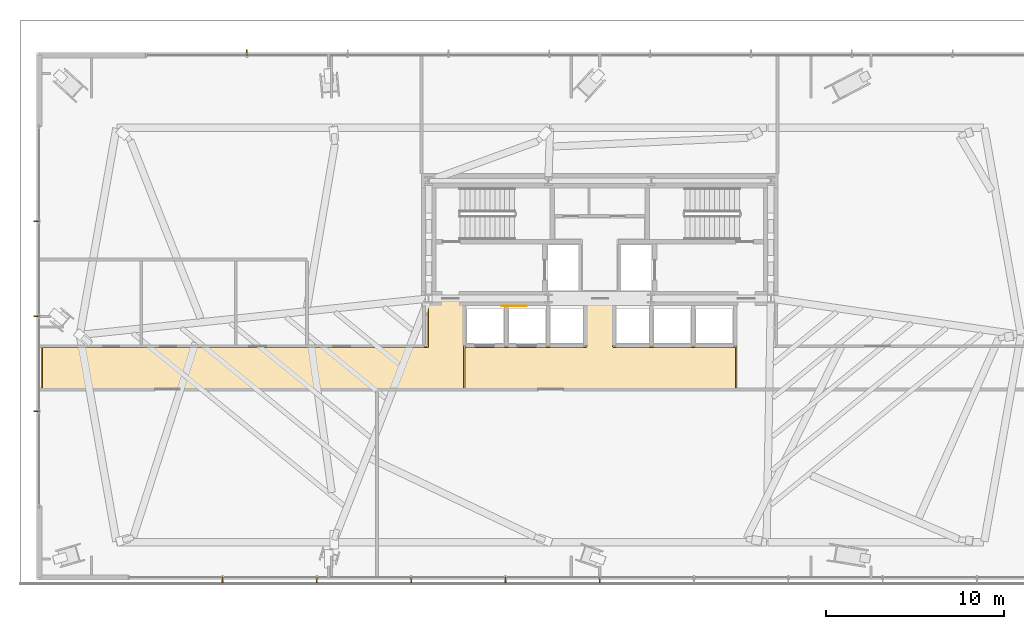
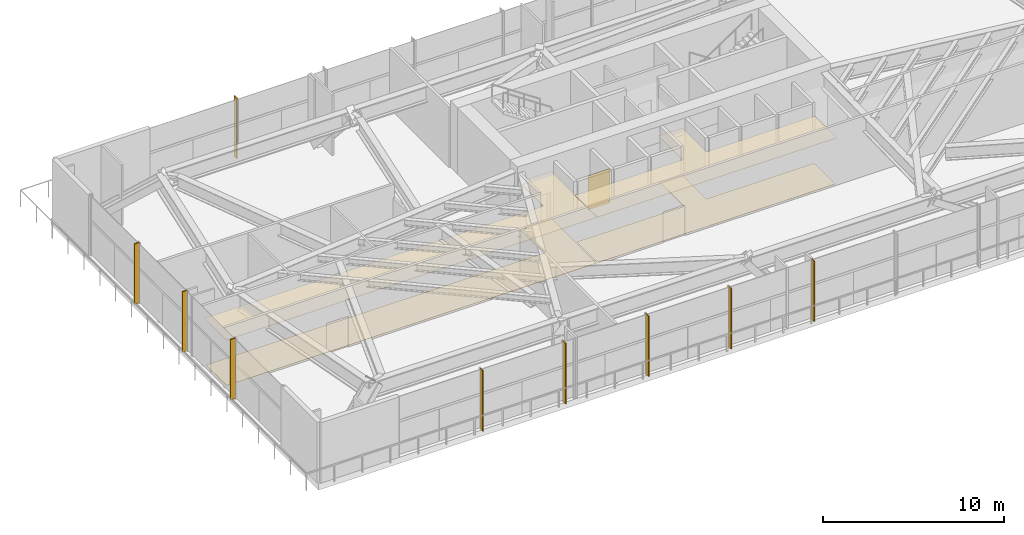
# One storey, part 23 of 29: 9 shading devices, 5 coverings.
"""IFC4 building model written with IfcOpenShell, lengths in metres."""

from ifc_helpers import new_model, si_unit, direction, frame, origin, origin_2d, place, context, subcontext, project, spatial, polyline, rectangle, outline, extrude, source, transform, mapped, material, layer, layer_set, type_object, type_shapes, element, save


model = new_model("IFC4")

# Units and contexts
model_context = context("Model", 3, precision=1e-05, world=origin(), true_north=direction((0.0, 1.0)))
body_context = subcontext(model_context, "Body", "Model", "MODEL_VIEW")
ifc_project = project(units=[si_unit("LENGTHUNIT", "METRE"), si_unit("AREAUNIT", "SQUARE_METRE"), si_unit("VOLUMEUNIT", "CUBIC_METRE"), si_unit("PLANEANGLEUNIT", "RADIAN"), si_unit("MASSUNIT", "GRAM", prefix="KILO")], contexts=[model_context])

# Site, building, storey
site_placement = place(None, origin())
site = spatial("IfcSite", under=ifc_project, at=site_placement, CompositionType="ELEMENT")
building_placement = place(site_placement, origin())
building = spatial("IfcBuilding", under=site, at=building_placement, Name="Astriad Promenade Condominiums", CompositionType="ELEMENT")
storey_placement = place(building_placement, frame((0.0, 0.0, 18.5)))
storey = spatial("IfcBuildingStorey", under=building, at=storey_placement, Name="L04", CompositionType="ELEMENT", Elevation=18.5)

# Coverings
ifc_material_1 = material(Name="Mineral-Fibre Acoustic Ceiling Tile")
ifc_layer_1 = layer(ifc_material_1, 0.02490234375)
ifc_layer_set_1 = layer_set([ifc_layer_1], Name="Mineral-Fibre Acoustic Ceiling Tile")
covering_type_1 = type_object("IfcCoveringType", Name="COV-CEIL-ACOUSTIC-25", PredefinedType="CEILING", material=ifc_layer_set_1)
covering_1_placement = place(storey_placement, frame((0.0, 0.0, 3.135009765625)))
element("IfcCovering", 1, at=covering_1_placement, inside=storey, type_object=covering_type_1, Name="CEIL-L04-LLB", PredefinedType="CEILING", context=body_context, shape_type="SweptSolid", body=[
    extrude(outline(polyline([(43.679931640625, 12.300048828125), (43.679931640625, 12.297119140625), (43.679443359375, 12.294189453125), (43.6787109375, 12.291259765625), (43.677734375, 12.28857421875), (43.676513671875, 12.285888671875), (43.6748046875, 12.283203125), (43.673095703125, 12.281005859375), (43.671142578125, 12.27880859375), (43.6689453125, 12.27685546875), (43.666748046875, 12.275146484375), (43.6640625, 12.2734375), (43.66162109375, 12.272216796875), (43.65869140625, 12.271240234375), (43.656005859375, 12.2705078125), (43.65283203125, 12.27001953125), (43.64990234375, 12.27001953125), (28.39990234375, 12.27001953125), (28.397216796875, 12.27001953125), (28.39404296875, 12.2705078125), (28.391357421875, 12.271240234375), (28.388427734375, 12.272216796875), (28.385986328125, 12.2734375), (28.38330078125, 12.275146484375), (28.381103515625, 12.27685546875), (28.37890625, 12.27880859375), (28.376708984375, 12.281005859375), (28.375, 12.283203125), (28.37353515625, 12.285888671875), (28.372314453125, 12.28857421875), (28.371337890625, 12.291259765625), (28.37060546875, 12.294189453125), (28.3701171875, 12.297119140625), (28.3701171875, 12.300048828125), (28.3701171875, 14.699951171875), (28.3701171875, 14.702880859375), (28.37060546875, 14.705810546875), (28.371337890625, 14.708740234375), (28.372314453125, 14.71142578125), (28.37353515625, 14.714111328125), (28.375, 14.716796875), (28.376708984375, 14.718994140625), (28.37890625, 14.72119140625), (28.381103515625, 14.72314453125), (28.38330078125, 14.724853515625), (28.385986328125, 14.7265625), (28.388427734375, 14.727783203125), (28.391357421875, 14.728759765625), (28.39404296875, 14.7294921875), (28.397216796875, 14.72998046875), (28.39990234375, 14.72998046875), (35.219970703125, 14.72998046875), (35.219970703125, 17.35009765625), (35.22021484375, 17.352783203125), (35.220703125, 17.35595703125), (35.22119140625, 17.358642578125), (35.222412109375, 17.361572265625), (35.223388671875, 17.364013671875), (35.22509765625, 17.36669921875), (35.226806640625, 17.368896484375), (35.228759765625, 17.37109375), (35.23095703125, 17.373291015625), (35.2333984375, 17.375), (35.23583984375, 17.37646484375), (35.238525390625, 17.377685546875), (35.2412109375, 17.378662109375), (35.244140625, 17.37939453125), (35.2470703125, 17.3798828125), (35.25, 17.3798828125), (36.75, 17.3798828125), (36.7529296875, 17.3798828125), (36.755859375, 17.37939453125), (36.7587890625, 17.378662109375), (36.761474609375, 17.377685546875), (36.76416015625, 17.37646484375), (36.7666015625, 17.375), (36.76904296875, 17.373291015625), (36.771240234375, 17.37109375), (36.773193359375, 17.368896484375), (36.77490234375, 17.36669921875), (36.776611328125, 17.364013671875), (36.777587890625, 17.361572265625), (36.77880859375, 17.358642578125), (36.779296875, 17.35595703125), (36.77978515625, 17.352783203125), (36.780029296875, 17.35009765625), (36.780029296875, 14.72998046875), (43.64990234375, 14.72998046875), (43.65283203125, 14.72998046875), (43.656005859375, 14.7294921875), (43.65869140625, 14.728759765625), (43.66162109375, 14.727783203125), (43.6640625, 14.7265625), (43.666748046875, 14.724853515625), (43.6689453125, 14.72314453125), (43.671142578125, 14.72119140625), (43.673095703125, 14.718994140625), (43.6748046875, 14.716796875), (43.676513671875, 14.714111328125), (43.677734375, 14.71142578125), (43.6787109375, 14.708740234375), (43.679443359375, 14.705810546875), (43.679931640625, 14.702880859375), (43.679931640625, 14.699951171875), (43.679931640625, 12.300048828125)])), origin(), (0.0, 0.0, 1.0), 0.02490234375),
])
covering_2_placement = place(storey_placement, frame((0.0, 0.0, 3.135009765625)))
element("IfcCovering", 2, at=covering_2_placement, inside=storey, type_object=covering_type_1, Name="CEIL-L04-COR-2", PredefinedType="CEILING", context=body_context, shape_type="SweptSolid", body=[
    extrude(outline(polyline([(4.69140625, 12.271240234375), (4.6884765625, 12.272216796875), (4.685791015625, 12.2734375), (4.683349609375, 12.275146484375), (4.680908203125, 12.27685546875), (4.6787109375, 12.27880859375), (4.6767578125, 12.281005859375), (4.675048828125, 12.283203125), (4.673583984375, 12.285888671875), (4.67236328125, 12.28857421875), (4.67138671875, 12.291259765625), (4.670654296875, 12.294189453125), (4.670166015625, 12.297119140625), (4.669921875, 12.300048828125), (4.669921875, 14.679931640625), (4.670166015625, 14.682861328125), (4.670654296875, 14.685791015625), (4.67138671875, 14.688720703125), (4.67236328125, 14.69140625), (4.673583984375, 14.694091796875), (4.675048828125, 14.69677734375), (4.6767578125, 14.698974609375), (4.6787109375, 14.701171875), (4.680908203125, 14.703125), (4.683349609375, 14.704833984375), (4.685791015625, 14.70654296875), (4.6884765625, 14.707763671875), (4.69140625, 14.708740234375), (4.694091796875, 14.70947265625), (4.697021484375, 14.7099609375), (4.699951171875, 14.7099609375), (6.716796875, 14.7099609375), (6.82080078125, 14.623291015625), (6.89306640625, 14.7099609375), (26.320068359375, 14.7099609375), (26.320068359375, 17.077880859375), (26.683349609375, 17.077880859375), (26.683349609375, 17.3798828125), (28.39990234375, 17.3798828125), (28.40283203125, 17.3798828125), (28.406005859375, 17.37939453125), (28.40869140625, 17.378662109375), (28.41162109375, 17.377685546875), (28.4140625, 17.37646484375), (28.416748046875, 17.375), (28.4189453125, 17.373291015625), (28.421142578125, 17.37109375), (28.423095703125, 17.368896484375), (28.4248046875, 17.36669921875), (28.426513671875, 17.364013671875), (28.427734375, 17.361572265625), (28.4287109375, 17.358642578125), (28.429443359375, 17.35595703125), (28.429931640625, 17.352783203125), (28.429931640625, 17.35009765625), (28.429931640625, 14.75), (28.39990234375, 14.75), (28.39892578125, 14.75), (28.39599609375, 14.749755859375), (28.39404296875, 14.74951171875), (28.39111328125, 14.749267578125), (28.389404296875, 14.748779296875), (28.386474609375, 14.748046875), (28.384521484375, 14.74755859375), (28.3818359375, 14.74658203125), (28.3798828125, 14.745849609375), (28.377197265625, 14.744384765625), (28.37548828125, 14.74365234375), (28.373046875, 14.7421875), (28.371337890625, 14.740966796875), (28.369140625, 14.7392578125), (28.367431640625, 14.738037109375), (28.365478515625, 14.736083984375), (28.364013671875, 14.734619140625), (28.362060546875, 14.732421875), (28.360595703125, 14.73095703125), (28.35888671875, 14.728515625), (28.35791015625, 14.726806640625), (28.3564453125, 14.724365234375), (28.35546875, 14.72265625), (28.354248046875, 14.719970703125), (28.353515625, 14.71826171875), (28.3525390625, 14.71533203125), (28.351806640625, 14.713623046875), (28.351318359375, 14.710693359375), (28.350830078125, 14.708740234375), (28.350341796875, 14.705810546875), (28.35009765625, 14.703857421875), (28.35009765625, 14.700927734375), (28.35009765625, 14.699951171875), (28.35009765625, 12.300048828125), (28.35009765625, 12.299072265625), (28.35009765625, 12.296142578125), (28.350341796875, 12.294189453125), (28.350830078125, 12.291259765625), (28.351318359375, 12.289306640625), (28.351806640625, 12.286376953125), (28.3525390625, 12.28466796875), (28.353515625, 12.28173828125), (28.354248046875, 12.280029296875), (28.35546875, 12.27734375), (28.3564453125, 12.275634765625), (28.35791015625, 12.273193359375), (28.35888671875, 12.271484375), (28.360107421875, 12.27001953125), (4.699951171875, 12.27001953125), (4.697021484375, 12.27001953125), (4.694091796875, 12.2705078125), (4.69140625, 12.271240234375)])), origin(), (0.0, 0.0, 1.0), 0.02490234375),
])
ifc_material_2 = material(Name="Polished Lakefront Terrazzo Flooring")
ifc_layer_2 = layer(ifc_material_2, 0.02001953125)
ifc_layer_set_2 = layer_set([ifc_layer_2], Name="Polished Lakefront Terrazzo Flooring")
covering_type_2 = type_object("IfcCoveringType", Name="COV-FLOR-TERRAZZO-20", PredefinedType="FLOORING", material=ifc_layer_set_2)
covering_3_placement = place(storey_placement, origin())
element("IfcCovering", 3, at=covering_3_placement, inside=storey, type_object=covering_type_2, Name="FLR-L04-LLB", PredefinedType="FLOORING", context=body_context, shape_type="SweptSolid", body=[
    extrude(outline(polyline([(43.610107421875, 14.659912109375), (43.610107421875, 12.340087890625), (28.43994140625, 12.340087890625), (28.43994140625, 14.659912109375), (35.25, 14.659912109375), (35.25390625, 14.66015625), (35.2578125, 14.660888671875), (35.26171875, 14.66162109375), (35.265380859375, 14.6630859375), (35.268798828125, 14.664794921875), (35.272216796875, 14.666748046875), (35.275390625, 14.669189453125), (35.2783203125, 14.671630859375), (35.281005859375, 14.674560546875), (35.283203125, 14.677734375), (35.285400390625, 14.68115234375), (35.287109375, 14.684814453125), (35.288330078125, 14.6884765625), (35.289306640625, 14.692138671875), (35.289794921875, 14.696044921875), (35.2900390625, 14.699951171875), (35.2900390625, 17.31005859375), (36.7099609375, 17.31005859375), (36.7099609375, 14.699951171875), (36.710205078125, 14.696044921875), (36.710693359375, 14.692138671875), (36.711669921875, 14.6884765625), (36.712890625, 14.684814453125), (36.714599609375, 14.68115234375), (36.716796875, 14.677734375), (36.718994140625, 14.674560546875), (36.7216796875, 14.671630859375), (36.724609375, 14.669189453125), (36.727783203125, 14.666748046875), (36.731201171875, 14.664794921875), (36.734619140625, 14.6630859375), (36.73828125, 14.66162109375), (36.7421875, 14.660888671875), (36.74609375, 14.66015625), (36.75, 14.659912109375), (43.610107421875, 14.659912109375)])), origin(), (0.0, 0.0, 1.0), 0.02001953125),
])
covering_4_placement = place(storey_placement, origin())
element("IfcCovering", 4, at=covering_4_placement, inside=storey, type_object=covering_type_2, Name="FLR-L04-COR-2", PredefinedType="FLOORING", context=body_context, shape_type="SweptSolid", body=[
    extrude(outline(polyline([(4.739990234375, 12.340087890625), (4.739990234375, 14.639892578125), (26.35009765625, 14.639892578125), (26.35400390625, 14.64013671875), (26.35791015625, 14.640869140625), (26.361572265625, 14.6416015625), (26.365234375, 14.64306640625), (26.368896484375, 14.644775390625), (26.372314453125, 14.646728515625), (26.37548828125, 14.649169921875), (26.37841796875, 14.651611328125), (26.380859375, 14.654541015625), (26.38330078125, 14.65771484375), (26.38525390625, 14.6611328125), (26.386962890625, 14.664794921875), (26.38818359375, 14.66845703125), (26.38916015625, 14.672119140625), (26.389892578125, 14.676025390625), (26.389892578125, 14.679931640625), (26.389892578125, 17.117919921875), (26.643310546875, 17.117919921875), (26.643310546875, 17.31005859375), (28.360107421875, 17.31005859375), (28.360107421875, 12.340087890625), (4.739990234375, 12.340087890625)])), origin(), (0.0, 0.0, 1.0), 0.02001953125),
])

# Shading devices
ifc_material_3 = material(Name="Anodised aluminium 6063-T6 Black Fin", Category="aluminium")
shading_device_type = type_object("IfcShadingDeviceType", Name="FIN-BLACK-320", PredefinedType="USERDEFINED", material=ifc_material_3)
shared_shape_1 = source(origin(), body_context, "Body", "SweptSolid", [
    extrude(rectangle(XDim=0.06494140625, YDim=0.320068359375, at=origin_2d()), origin(), (0.0, 0.0, 1.0), 4.080078125),
])
type_shapes(shading_device_type, [shared_shape_1])
for number, where, z_axis, x_axis, name in (
    (5, (4.409912109375, 11.074951171875, 0.0), (0.0, 0.0, 1.0), (0.0, 1.0, 0.0), "CW-L04-W-FIN-01"),
    (6, (4.409912109375, 16.39990234375, 0.0), (0.0, 0.0, 1.0), (0.0, 1.0, 0.0), "CW-L04-W-FIN-02"),
    (7, (4.409912109375, 21.72509765625, 0.0), (0.0, 0.0, 1.0), (0.0, 1.0, 0.0), "CW-L04-W-FIN-03"),
    (8, (16.20556640625, 31.18994140625, 0.0), (0.0, 0.0, 1.0), (1.0, 0.0, 0.0), "CW-L04-N-FIN-01"),
    (9, (36.0, 1.610107421875, 0.0), (0.0, 0.0, 1.0), (-1.0, 0.0, 0.0), "CW-L04-S-FIN-05"),
    (10, (30.7099609375, 1.610107421875, 0.0), (0.0, 0.0, 1.0), (-1.0, 0.0, 0.0), "CW-L04-S-FIN-06"),
    (11, (25.419921875, 1.610107421875, 0.0), (0.0, 0.0, 1.0), (-1.0, 0.0, 0.0), "CW-L04-S-FIN-07"),
    (12, (20.1298828125, 1.610107421875, 0.0), (0.0, 0.0, 1.0), (-1.0, 0.0, 0.0), "CW-L04-S-FIN-08"),
    (13, (14.840087890625, 1.610107421875, 0.0), (0.0, 0.0, 1.0), (-1.0, 0.0, 0.0), "CW-L04-S-FIN-09"),
):
    element("IfcShadingDevice", number, at=place(storey_placement, frame(where, z_axis=z_axis, x_axis=x_axis)), inside=storey, type_object=shading_device_type, Name=name, ObjectType="FIN", PredefinedType="USERDEFINED", context=body_context, shape_type="MappedRepresentation", body=[
        mapped(shared_shape_1, transform((0.0, 0.0, 0.0), scale=1.0)),
    ])

# Covering
ifc_material_4 = material(Name="Fire-Retardant Acoustic Oak Wall Cladding")
ifc_layer_3 = layer(ifc_material_4, 0.02490234375)
ifc_layer_set_3 = layer_set([ifc_layer_3], Name="Fire-Retardant Acoustic Oak Wall Cladding")
covering_type_3 = type_object("IfcCoveringType", Name="COV-CLAD-TIMBER-25", PredefinedType="CLADDING", material=ifc_layer_set_3)
shared_shape_2 = source(origin(), body_context, "Body", "SweptSolid", [
    extrude(rectangle(XDim=1.39990234375, YDim=0.02490234375, at=origin_2d()), origin(), (0.0, 0.0, 1.0), 2.300048828125),
])
type_shapes(covering_type_3, [shared_shape_2])
covering_5_placement = place(storey_placement, frame((31.199951171875, 16.991455078125, 0.0498046875), z_axis=(0.0, 0.0, 1.0), x_axis=(1.0, 0.0, 0.0)))
element("IfcCovering", 14, at=covering_5_placement, inside=storey, type_object=covering_type_3, Name="CLAD-LOB-L04", PredefinedType="CLADDING", context=body_context, shape_type="MappedRepresentation", body=[
    mapped(shared_shape_2, transform((0.0, 0.0, 0.0), scale=1.0)),
])

save(model, "model.ifc")
